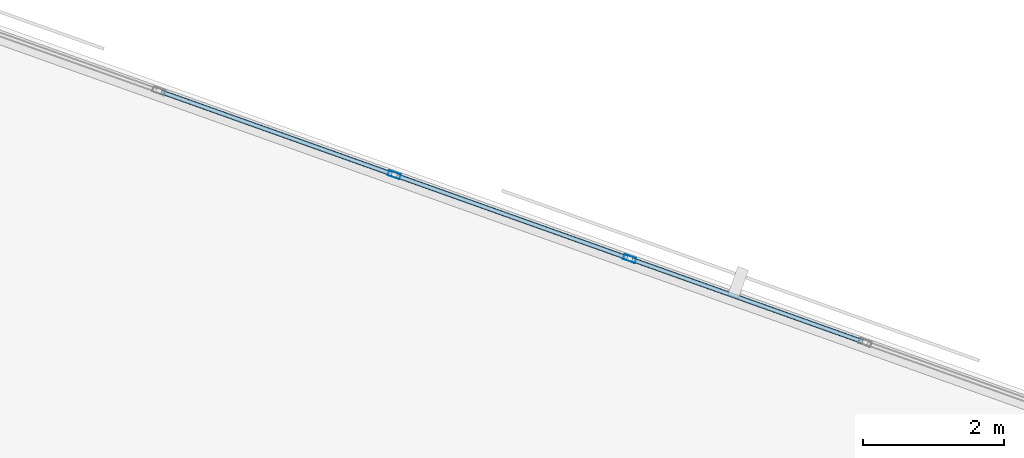
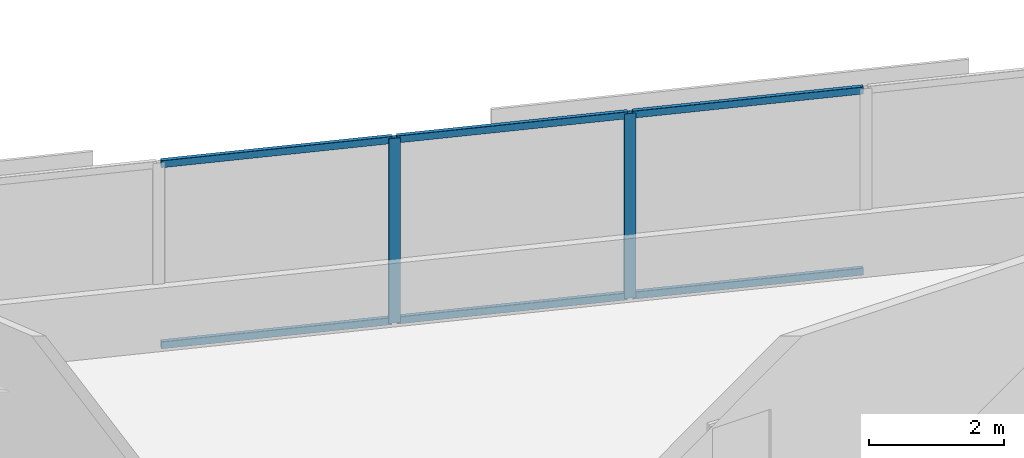
# One storey, part 8 of 14: 8 members, 1 element without a shape of its own.
"""IFC4 building model written with IfcOpenShell, lengths in metres."""

from ifc_helpers import new_model, si_unit, direction, frame, origin, origin_2d, place, context, subcontext, project, spatial, hollow_rectangle, extrude, material, material_profile, profile_set, type_object, element, aggregate, save


model = new_model("IFC4")

# Units and contexts
model_context = context("Model", 3, precision=1e-05, world=origin(), true_north=direction((0.0, 1.0)))
body_context = subcontext(model_context, "Body", "Model", "MODEL_VIEW")
ifc_project = project(units=[si_unit("LENGTHUNIT", "METRE"), si_unit("AREAUNIT", "SQUARE_METRE"), si_unit("VOLUMEUNIT", "CUBIC_METRE"), si_unit("PLANEANGLEUNIT", "RADIAN"), si_unit("MASSUNIT", "GRAM", prefix="KILO")], contexts=[model_context])

# Site, building, storey
site_placement = place(None, origin())
site = spatial("IfcSite", under=ifc_project, at=site_placement, CompositionType="ELEMENT")
building_placement = place(site_placement, origin())
building = spatial("IfcBuilding", under=site, at=building_placement, Name="Narakoshi Arena Tower", CompositionType="ELEMENT")
storey_placement = place(building_placement, frame((0.0, 0.0, 135.89990234375)))
storey = spatial("IfcBuildingStorey", under=building, at=storey_placement, Name="L36", CompositionType="ELEMENT", Elevation=135.89990234375)

# Curtain wall, members
ifc_material = material(Name="Anodised bronze aluminium 6063-T6", Category="aluminium")
curtain_wall_type = type_object("IfcCurtainWallType", Name="CW-HYP-MID", PredefinedType="NOTDEFINED", material=ifc_material)
curtain_wall_placement = place(storey_placement, origin())
curtain_wall = element("IfcCurtainWall", 1, at=curtain_wall_placement, inside=storey, type_object=curtain_wall_type, Name="L36 Folded Hypotenuse Curtain Wall 2-1", PredefinedType="NOTDEFINED")
ifc_material_profile_1 = material_profile(ifc_material, hollow_rectangle(XDim=0.074951171875, YDim=0.179931640625, WallThickness=0.00390625, OuterFilletRadius=0.0048828125, at=origin_2d()), Name="MUL180x75x4")
ifc_profile_set_1 = profile_set([ifc_material_profile_1], Name="Anodised bronze aluminium 6063-T6")
member_type_1 = type_object("IfcMemberType", Name="MEM-MUL-180", PredefinedType="MULLION", material=ifc_profile_set_1)
member_1_placement = place(storey_placement, frame((81.1259765625, 65.1083984375, 0.0), z_axis=(0.0, 0.0, 1.0), x_axis=(-0.335518297139, -0.94203368957, 0.0)))
member_1 = element("IfcMember", 2, at=member_1_placement, type_object=member_type_1, Name="CW-02 mullion 3", PredefinedType="MULLION", context=body_context, shape_type="SweptSolid", body=[
    extrude(hollow_rectangle(XDim=0.074951171875, YDim=0.179931640625, WallThickness=0.00390625, OuterFilletRadius=0.0048828125, at=origin_2d()), origin(), (0.0, 0.0, 1.0), 3.340087890625),
])
member_2_placement = place(storey_placement, frame((77.781494140625, 66.2998046875, 0.0), z_axis=(0.0, 0.0, 1.0), x_axis=(-0.335518297139, -0.94203368957, 0.0)))
member_2 = element("IfcMember", 3, at=member_2_placement, type_object=member_type_1, Name="CW-02 mullion 4", PredefinedType="MULLION", context=body_context, shape_type="SweptSolid", body=[
    extrude(hollow_rectangle(XDim=0.074951171875, YDim=0.179931640625, WallThickness=0.00390625, OuterFilletRadius=0.0048828125, at=origin_2d()), origin(), (0.0, 0.0, 1.0), 3.340087890625),
])
ifc_material_profile_2 = material_profile(ifc_material, hollow_rectangle(XDim=0.06494140625, YDim=0.1298828125, WallThickness=0.00390625, OuterFilletRadius=0.0048828125, at=origin_2d()), Name="TRN130x65x4")
ifc_profile_set_2 = profile_set([ifc_material_profile_2], Name="Anodised bronze aluminium 6063-T6")
member_type_2 = type_object("IfcMemberType", Name="MEM-TRN-130", PredefinedType="USERDEFINED", material=ifc_profile_set_2)
member_3_placement = place(storey_placement, frame((84.435302734375, 63.929931640625, 0.03271484375), z_axis=(-0.942037165195, 0.335508538477, 0.0), x_axis=(-0.335508538477, -0.942037165195, 0.0)))
member_3 = element("IfcMember", 4, at=member_3_placement, type_object=member_type_2, Name="CW-02 transom 2.1", ObjectType="TRANSOM", PredefinedType="USERDEFINED", context=body_context, shape_type="SweptSolid", body=[
    extrude(hollow_rectangle(XDim=0.06494140625, YDim=0.1298828125, WallThickness=0.00390625, OuterFilletRadius=0.0048828125, at=origin_2d()), origin(), (0.0, 0.0, 1.0), 3.475341796875),
])
member_4_placement = place(storey_placement, frame((84.435302734375, 63.929931640625, 3.3076171875), z_axis=(-0.942037165195, 0.335508538477, 0.0), x_axis=(-0.335508538477, -0.942037165195, 0.0)))
member_4 = element("IfcMember", 5, at=member_4_placement, type_object=member_type_2, Name="CW-02 transom 2.2", ObjectType="TRANSOM", PredefinedType="USERDEFINED", context=body_context, shape_type="SweptSolid", body=[
    extrude(hollow_rectangle(XDim=0.06494140625, YDim=0.1298828125, WallThickness=0.00390625, OuterFilletRadius=0.0048828125, at=origin_2d()), origin(), (0.0, 0.0, 1.0), 3.475341796875),
])
member_5_placement = place(storey_placement, frame((81.0908203125, 65.12109375, 0.03271484375), z_axis=(-0.942037165195, 0.335508538477, 0.0), x_axis=(-0.335508538477, -0.942037165195, 0.0)))
member_5 = element("IfcMember", 6, at=member_5_placement, type_object=member_type_2, Name="CW-02 transom 3.1", ObjectType="TRANSOM", PredefinedType="USERDEFINED", context=body_context, shape_type="SweptSolid", body=[
    extrude(hollow_rectangle(XDim=0.06494140625, YDim=0.1298828125, WallThickness=0.00390625, OuterFilletRadius=0.0048828125, at=origin_2d()), origin(), (0.0, 0.0, 1.0), 3.475341796875),
])
member_6_placement = place(storey_placement, frame((81.0908203125, 65.12109375, 3.3076171875), z_axis=(-0.942037165195, 0.335508538477, 0.0), x_axis=(-0.335508538477, -0.942037165195, 0.0)))
member_6 = element("IfcMember", 7, at=member_6_placement, type_object=member_type_2, Name="CW-02 transom 3.2", ObjectType="TRANSOM", PredefinedType="USERDEFINED", context=body_context, shape_type="SweptSolid", body=[
    extrude(hollow_rectangle(XDim=0.06494140625, YDim=0.1298828125, WallThickness=0.00390625, OuterFilletRadius=0.0048828125, at=origin_2d()), origin(), (0.0, 0.0, 1.0), 3.475341796875),
])
member_7_placement = place(storey_placement, frame((77.74609375, 66.312255859375, 0.03271484375), z_axis=(-0.942029256779, 0.335530742813, 0.0), x_axis=(-0.335530742813, -0.942029256779, 0.0)))
member_7 = element("IfcMember", 8, at=member_7_placement, type_object=member_type_2, Name="CW-02 transom 4.1", ObjectType="TRANSOM", PredefinedType="USERDEFINED", context=body_context, shape_type="SweptSolid", body=[
    extrude(hollow_rectangle(XDim=0.06494140625, YDim=0.1298828125, WallThickness=0.00390625, OuterFilletRadius=0.0048828125, at=origin_2d()), origin(), (0.0, 0.0, 1.0), 3.47509765625),
])
member_8_placement = place(storey_placement, frame((77.74609375, 66.312255859375, 3.3076171875), z_axis=(-0.942029256779, 0.335530742813, 0.0), x_axis=(-0.335530742813, -0.942029256779, 0.0)))
member_8 = element("IfcMember", 9, at=member_8_placement, type_object=member_type_2, Name="CW-02 transom 4.2", ObjectType="TRANSOM", PredefinedType="USERDEFINED", context=body_context, shape_type="SweptSolid", body=[
    extrude(hollow_rectangle(XDim=0.06494140625, YDim=0.1298828125, WallThickness=0.00390625, OuterFilletRadius=0.0048828125, at=origin_2d()), origin(), (0.0, 0.0, 1.0), 3.47509765625),
])
aggregate(curtain_wall, [member_1, member_2, member_3, member_4, member_5, member_6, member_7, member_8])

save(model, "model.ifc")
